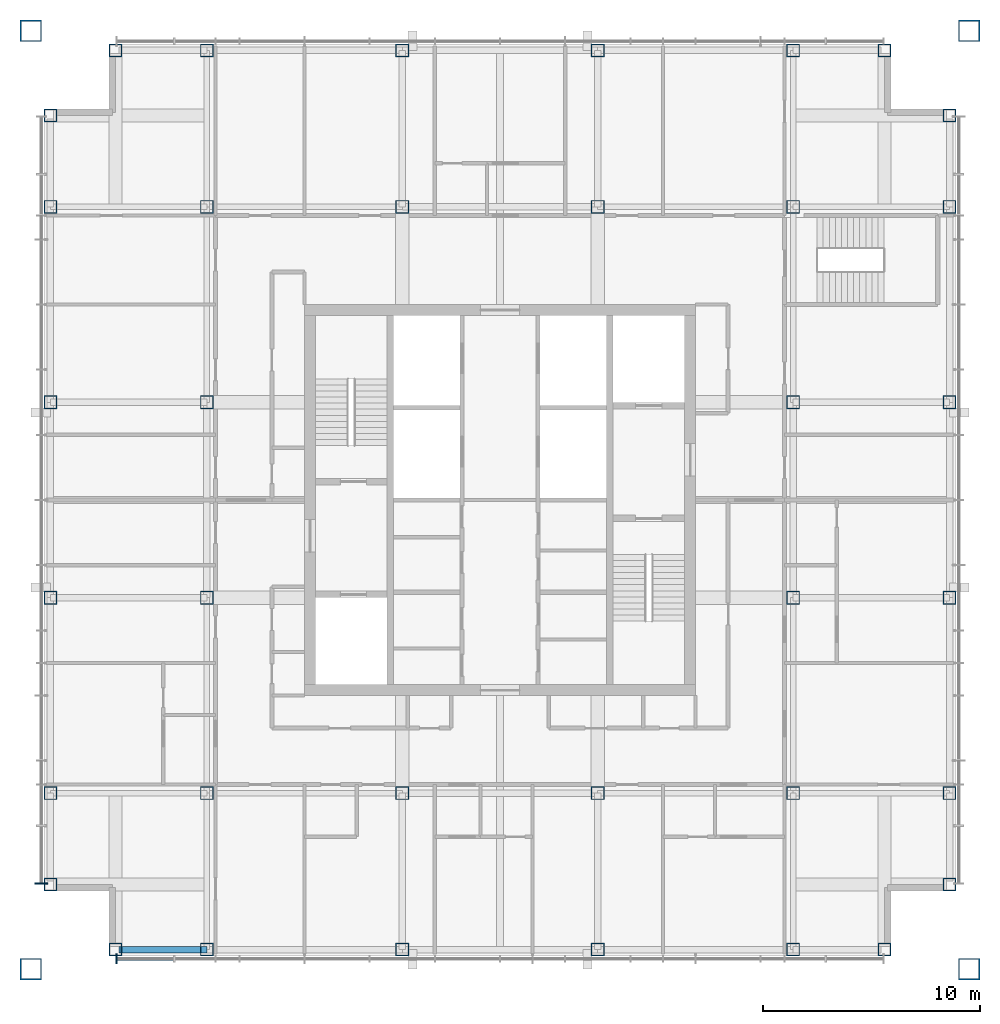
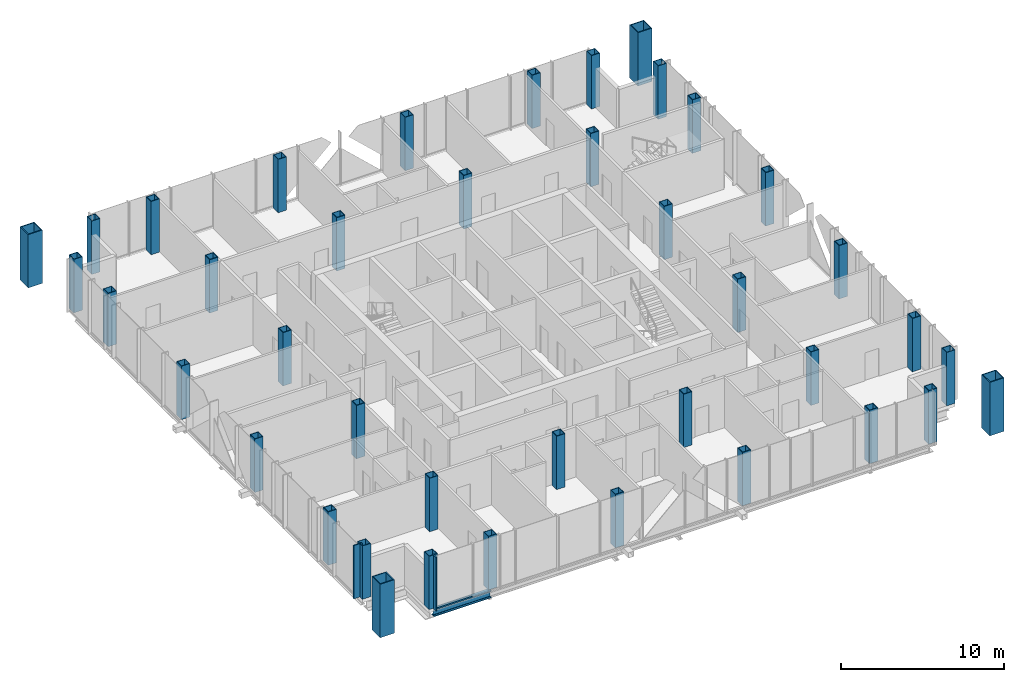
# One storey, part 1 of 12: 40 columns, 3 members, 1 beam, 2 elements without a shape of their own.
"""IFC4 building model written with IfcOpenShell, lengths in metres."""

from ifc_helpers import new_model, si_unit, direction, frame, origin, origin_2d, place, context, subcontext, project, spatial, rectangle, hollow_rectangle, i_section, extrude, material, layer, layer_set, material_profile, profile_set, type_object, element, aggregate, save


model = new_model("IFC4")

# Units and contexts
model_context = context("Model", 3, precision=1e-05, world=origin(), true_north=direction((0.0, 1.0)))
body_context = subcontext(model_context, "Body", "Model", "MODEL_VIEW")
ifc_project = project(units=[si_unit("LENGTHUNIT", "METRE"), si_unit("AREAUNIT", "SQUARE_METRE"), si_unit("VOLUMEUNIT", "CUBIC_METRE"), si_unit("PLANEANGLEUNIT", "RADIAN"), si_unit("MASSUNIT", "GRAM", prefix="KILO")], contexts=[model_context])

# Site, building, storey
site_placement = place(None, origin())
site = spatial("IfcSite", under=ifc_project, at=site_placement, CompositionType="ELEMENT")
building_placement = place(site_placement, origin())
building = spatial("IfcBuilding", under=site, at=building_placement, Name="Malebo Sky Hospital", CompositionType="ELEMENT")
storey_placement = place(building_placement, frame((0.0, 0.0, 266.0)))
storey = spatial("IfcBuildingStorey", under=building, at=storey_placement, Name="L64", CompositionType="ELEMENT", Elevation=266.0)

# Columns
ifc_material_1 = material(Name="Steel S460", Category="steel")
ifc_material_profile_1 = material_profile(ifc_material_1, hollow_rectangle(XDim=0.60009765625, YDim=0.60009765625, WallThickness=0.0400390625, at=origin_2d()), Name="BOX 600x600x40")
ifc_profile_set_1 = profile_set([ifc_material_profile_1], Name="Steel S460")
column_type_1 = type_object("IfcColumnType", Name="INNER COLUMN BOX 600x600x40", PredefinedType="COLUMN", material=ifc_profile_set_1)
for number, where, z_axis, x_axis, name in (
    (1, (46.5, 48.5, 0.0), (0.0, 0.0, 1.0), (1.0, 0.0, 0.0), "Column IC4 L64"),
    (2, (73.5, 48.5, 0.0), (0.0, 0.0, 1.0), (1.0, 0.0, 0.0), "Column IC4 L64"),
    (3, (73.5, 75.5, 0.0), (0.0, 0.0, 1.0), (1.0, 0.0, 0.0), "Column IC4 L64"),
    (4, (46.5, 75.5, 0.0), (0.0, 0.0, 1.0), (1.0, 0.0, 0.0), "Column IC4 L64"),
    (5, (55.5, 48.5, 0.0), (0.0, 0.0, 1.0), (1.0, 0.0, 0.0), "Column IC4 L64"),
    (6, (64.5, 48.5, 0.0), (0.0, 0.0, 1.0), (1.0, 0.0, 0.0), "Column IC4 L64"),
    (7, (55.5, 75.5, 0.0), (0.0, 0.0, 1.0), (1.0, 0.0, 0.0), "Column IC4 L64"),
    (8, (64.5, 75.5, 0.0), (0.0, 0.0, 1.0), (1.0, 0.0, 0.0), "Column IC4 L64"),
    (9, (46.5, 57.5, 0.0), (0.0, 0.0, 1.0), (1.0, 0.0, 0.0), "Column IC4 L64"),
    (10, (46.5, 66.5, 0.0), (0.0, 0.0, 1.0), (1.0, 0.0, 0.0), "Column IC4 L64"),
    (11, (73.5, 57.5, 0.0), (0.0, 0.0, 1.0), (1.0, 0.0, 0.0), "Column IC4 L64"),
    (12, (73.5, 66.5, 0.0), (0.0, 0.0, 1.0), (1.0, 0.0, 0.0), "Column IC4 L64"),
):
    element("IfcColumn", number, at=place(storey_placement, frame(where, z_axis=z_axis, x_axis=x_axis)), inside=storey, type_object=column_type_1, Name=name, PredefinedType="COLUMN", context=body_context, shape_type="SweptSolid", body=[
        extrude(hollow_rectangle(XDim=0.60009765625, YDim=0.60009765625, WallThickness=0.0400390625, at=origin_2d()), origin(), (0.0, 0.0, 1.0), 4.0),
    ])
ifc_material_profile_2 = material_profile(ifc_material_1, hollow_rectangle(XDim=1.0, YDim=1.0, WallThickness=0.06005859375, at=origin_2d()), Name="BOX 1000x1000x60")
ifc_profile_set_2 = profile_set([ifc_material_profile_2], Name="Steel S460")
column_type_2 = type_object("IfcColumnType", Name="MEGA COLUMN BOX 1000x1000x60", PredefinedType="COLUMN", material=ifc_profile_set_2)
for number, where, z_axis, x_axis, name in (
    (13, (38.39990234375, 40.39990234375, 0.0), (0.0, 0.0, 1.0), (1.0, 0.0, 0.0), "Mega column SW L64"),
    (14, (81.60009765625, 40.39990234375, 0.0), (0.0, 0.0, 1.0), (1.0, 0.0, 0.0), "Mega column SE L64"),
    (15, (81.60009765625, 83.60009765625, 0.0), (0.0, 0.0, 1.0), (1.0, 0.0, 0.0), "Mega column NE L64"),
    (16, (38.39990234375, 83.60009765625, 0.0), (0.0, 0.0, 1.0), (1.0, 0.0, 0.0), "Mega column NW L64"),
):
    element("IfcColumn", number, at=place(storey_placement, frame(where, z_axis=z_axis, x_axis=x_axis)), inside=storey, type_object=column_type_2, Name=name, PredefinedType="COLUMN", context=body_context, shape_type="SweptSolid", body=[
        extrude(hollow_rectangle(XDim=1.0, YDim=1.0, WallThickness=0.06005859375, at=origin_2d()), origin(), (0.0, 0.0, 1.0), 4.0),
    ])
ifc_material_profile_3 = material_profile(ifc_material_1, hollow_rectangle(XDim=0.60009765625, YDim=0.60009765625, WallThickness=0.0400390625, at=origin_2d()), Name="BOX 600x600x40")
ifc_profile_set_3 = profile_set([ifc_material_profile_3], Name="Steel S460")
column_type_3 = type_object("IfcColumnType", Name="PERIMETER COLUMN BOX 600x600x40", PredefinedType="COLUMN", material=ifc_profile_set_3)
for number, where, z_axis, x_axis, name in (
    (17, (42.300048828125, 41.300048828125, 0.0), (0.0, 0.0, 1.0), (1.0, 0.0, 0.0), "Column PC4 L64"),
    (18, (42.300048828125, 82.699951171875, 0.0), (0.0, 0.0, 1.0), (1.0, 0.0, 0.0), "Column PC4 L64"),
    (19, (39.300048828125, 44.300048828125, 0.0), (0.0, 0.0, 1.0), (1.0, 0.0, 0.0), "Column PC4 L64"),
    (20, (80.699951171875, 44.300048828125, 0.0), (0.0, 0.0, 1.0), (1.0, 0.0, 0.0), "Column PC4 L64"),
    (21, (46.5, 41.300048828125, 0.0), (0.0, 0.0, 1.0), (1.0, 0.0, 0.0), "Column PC4 L64"),
    (22, (46.5, 82.699951171875, 0.0), (0.0, 0.0, 1.0), (1.0, 0.0, 0.0), "Column PC4 L64"),
    (23, (39.300048828125, 48.5, 0.0), (0.0, 0.0, 1.0), (1.0, 0.0, 0.0), "Column PC4 L64"),
    (24, (80.699951171875, 48.5, 0.0), (0.0, 0.0, 1.0), (1.0, 0.0, 0.0), "Column PC4 L64"),
    (25, (55.5, 41.300048828125, 0.0), (0.0, 0.0, 1.0), (1.0, 0.0, 0.0), "Column PC4 L64"),
    (26, (55.5, 82.699951171875, 0.0), (0.0, 0.0, 1.0), (1.0, 0.0, 0.0), "Column PC4 L64"),
    (27, (39.300048828125, 57.5, 0.0), (0.0, 0.0, 1.0), (1.0, 0.0, 0.0), "Column PC4 L64"),
    (28, (80.699951171875, 57.5, 0.0), (0.0, 0.0, 1.0), (1.0, 0.0, 0.0), "Column PC4 L64"),
    (29, (64.5, 41.300048828125, 0.0), (0.0, 0.0, 1.0), (1.0, 0.0, 0.0), "Column PC4 L64"),
    (30, (64.5, 82.699951171875, 0.0), (0.0, 0.0, 1.0), (1.0, 0.0, 0.0), "Column PC4 L64"),
    (31, (39.300048828125, 66.5, 0.0), (0.0, 0.0, 1.0), (1.0, 0.0, 0.0), "Column PC4 L64"),
    (32, (80.699951171875, 66.5, 0.0), (0.0, 0.0, 1.0), (1.0, 0.0, 0.0), "Column PC4 L64"),
    (33, (73.5, 41.300048828125, 0.0), (0.0, 0.0, 1.0), (1.0, 0.0, 0.0), "Column PC4 L64"),
    (34, (73.5, 82.699951171875, 0.0), (0.0, 0.0, 1.0), (1.0, 0.0, 0.0), "Column PC4 L64"),
    (35, (39.300048828125, 75.5, 0.0), (0.0, 0.0, 1.0), (1.0, 0.0, 0.0), "Column PC4 L64"),
    (36, (80.699951171875, 75.5, 0.0), (0.0, 0.0, 1.0), (1.0, 0.0, 0.0), "Column PC4 L64"),
    (37, (77.699951171875, 41.300048828125, 0.0), (0.0, 0.0, 1.0), (1.0, 0.0, 0.0), "Column PC4 L64"),
    (38, (77.699951171875, 82.699951171875, 0.0), (0.0, 0.0, 1.0), (1.0, 0.0, 0.0), "Column PC4 L64"),
    (39, (39.300048828125, 79.699951171875, 0.0), (0.0, 0.0, 1.0), (1.0, 0.0, 0.0), "Column PC4 L64"),
    (40, (80.699951171875, 79.699951171875, 0.0), (0.0, 0.0, 1.0), (1.0, 0.0, 0.0), "Column PC4 L64"),
):
    element("IfcColumn", number, at=place(storey_placement, frame(where, z_axis=z_axis, x_axis=x_axis)), inside=storey, type_object=column_type_3, Name=name, PredefinedType="COLUMN", context=body_context, shape_type="SweptSolid", body=[
        extrude(hollow_rectangle(XDim=0.60009765625, YDim=0.60009765625, WallThickness=0.0400390625, at=origin_2d()), origin(), (0.0, 0.0, 1.0), 4.0),
    ])

# Curtain wall, members
ifc_material_2 = material(Name="Anodised aluminium, natural silver", Category="aluminium")
ifc_layer_1 = layer(ifc_material_2, 0.25)
ifc_layer_set_1 = layer_set([ifc_layer_1], Name="WARD CURTAIN WALL NORTH AND SOUTH")
curtain_wall_type_1 = type_object("IfcCurtainWallType", Name="WARD CURTAIN WALL NORTH AND SOUTH", PredefinedType="NOTDEFINED", material=ifc_layer_set_1)
curtain_wall_1_placement = place(storey_placement, origin())
curtain_wall_1 = element("IfcCurtainWall", 41, at=curtain_wall_1_placement, inside=storey, type_object=curtain_wall_type_1, Name="NS curtain wall S", PredefinedType="NOTDEFINED")
ifc_material_profile_4 = material_profile(ifc_material_2, rectangle(XDim=0.14990234375, YDim=0.10009765625, at=origin_2d()), Name="ALUMINIUM TRANSOM 150x100")
ifc_profile_set_4 = profile_set([ifc_material_profile_4], Name="Anodised aluminium, natural silver")
member_type_1 = type_object("IfcMemberType", Name="ALUMINIUM TRANSOM 150x100", PredefinedType="USERDEFINED", material=ifc_profile_set_4)
member_1_placement = place(storey_placement, frame((44.96240234375, 40.875, 0.050048828125), z_axis=(-1.0, 0.0, 0.0), x_axis=(0.0, -1.0, 0.0)))
member_1 = element("IfcMember", 42, at=member_1_placement, type_object=member_type_1, Name="Transom 16", ObjectType="TRANSOM", PredefinedType="USERDEFINED", context=body_context, shape_type="SweptSolid", body=[
    extrude(rectangle(XDim=0.14990234375, YDim=0.10009765625, at=origin_2d()), origin(), (0.0, 0.0, 1.0), 2.58740234375),
])
ifc_material_profile_5 = material_profile(ifc_material_2, rectangle(XDim=0.074951171875, YDim=0.449951171875, at=origin_2d()), Name="CW1 ALUMINIUM FIN MULLION 75x450")
ifc_profile_set_5 = profile_set([ifc_material_profile_5], Name="Anodised aluminium, natural silver")
member_type_2 = type_object("IfcMemberType", Name="CW1 ALUMINIUM FIN MULLION 75x450", PredefinedType="MULLION", material=ifc_profile_set_5)
member_2_placement = place(storey_placement, frame((42.33740234375, 40.875, 0.0), z_axis=(0.0, 0.0, 1.0), x_axis=(-1.0, 0.0, 0.0)))
member_2 = element("IfcMember", 43, at=member_2_placement, type_object=member_type_2, Name="Fin mullion 17", PredefinedType="MULLION", context=body_context, shape_type="SweptSolid", body=[
    extrude(rectangle(XDim=0.074951171875, YDim=0.449951171875, at=origin_2d()), origin(), (0.0, 0.0, 1.0), 4.0),
])
aggregate(curtain_wall_1, [member_2, member_1])

# Curtain wall, member
ifc_layer_2 = layer(ifc_material_2, 0.25)
ifc_layer_set_2 = layer_set([ifc_layer_2], Name="WARD CURTAIN WALL EAST AND WEST")
curtain_wall_type_2 = type_object("IfcCurtainWallType", Name="WARD CURTAIN WALL EAST AND WEST", PredefinedType="NOTDEFINED", material=ifc_layer_set_2)
curtain_wall_2_placement = place(storey_placement, origin())
curtain_wall_2 = element("IfcCurtainWall", 44, at=curtain_wall_2_placement, inside=storey, type_object=curtain_wall_type_2, Name="EW curtain wall W", PredefinedType="NOTDEFINED")
ifc_material_profile_6 = material_profile(ifc_material_2, rectangle(XDim=0.074951171875, YDim=0.60009765625, at=origin_2d()), Name="CW2 ALUMINIUM FIN MULLION 75x600")
ifc_profile_set_6 = profile_set([ifc_material_profile_6], Name="Anodised aluminium, natural silver")
member_type_3 = type_object("IfcMemberType", Name="CW2 ALUMINIUM FIN MULLION 75x600", PredefinedType="MULLION", material=ifc_profile_set_6)
member_3_placement = place(storey_placement, frame((38.875, 44.33740234375, 0.0), z_axis=(0.0, 0.0, 1.0), x_axis=(0.0, 1.0, 0.0)))
member_3 = element("IfcMember", 45, at=member_3_placement, type_object=member_type_3, Name="Fin mullion 1", PredefinedType="MULLION", context=body_context, shape_type="SweptSolid", body=[
    extrude(rectangle(XDim=0.074951171875, YDim=0.60009765625, at=origin_2d()), origin(), (0.0, 0.0, 1.0), 4.0),
])
aggregate(curtain_wall_2, [member_3])

# Beam
ifc_material_3 = material(Name="Steel S355", Category="steel")
ifc_material_profile_7 = material_profile(ifc_material_3, i_section(OverallWidth=0.305908203125, OverallDepth=0.52392578125, WebThickness=0.02099609375, FlangeThickness=0.0400390625, FilletRadius=0.027099609375, at=origin_2d()), Name="HEM 500")
ifc_profile_set_7 = profile_set([ifc_material_profile_7], Name="Steel S355")
beam_type = type_object("IfcBeamType", Name="EDGE BEAM HEM 500", PredefinedType="BEAM", material=ifc_profile_set_7)
beam_placement = place(storey_placement, frame((42.449951171875, 41.300048828125, -0.511962890625), z_axis=(1.0, 0.0, 0.0), x_axis=(0.0, 1.0, 0.0)))
element("IfcBeam", 46, at=beam_placement, inside=storey, type_object=beam_type, Name="Beam 034 L64", PredefinedType="BEAM", context=body_context, shape_type="SweptSolid", body=[
    extrude(i_section(OverallWidth=0.305908203125, OverallDepth=0.52392578125, WebThickness=0.02099609375, FlangeThickness=0.0400390625, FilletRadius=0.027099609375, at=origin_2d()), origin(), (0.0, 0.0, 1.0), 4.050048828125),
])

save(model, "model.ifc")
